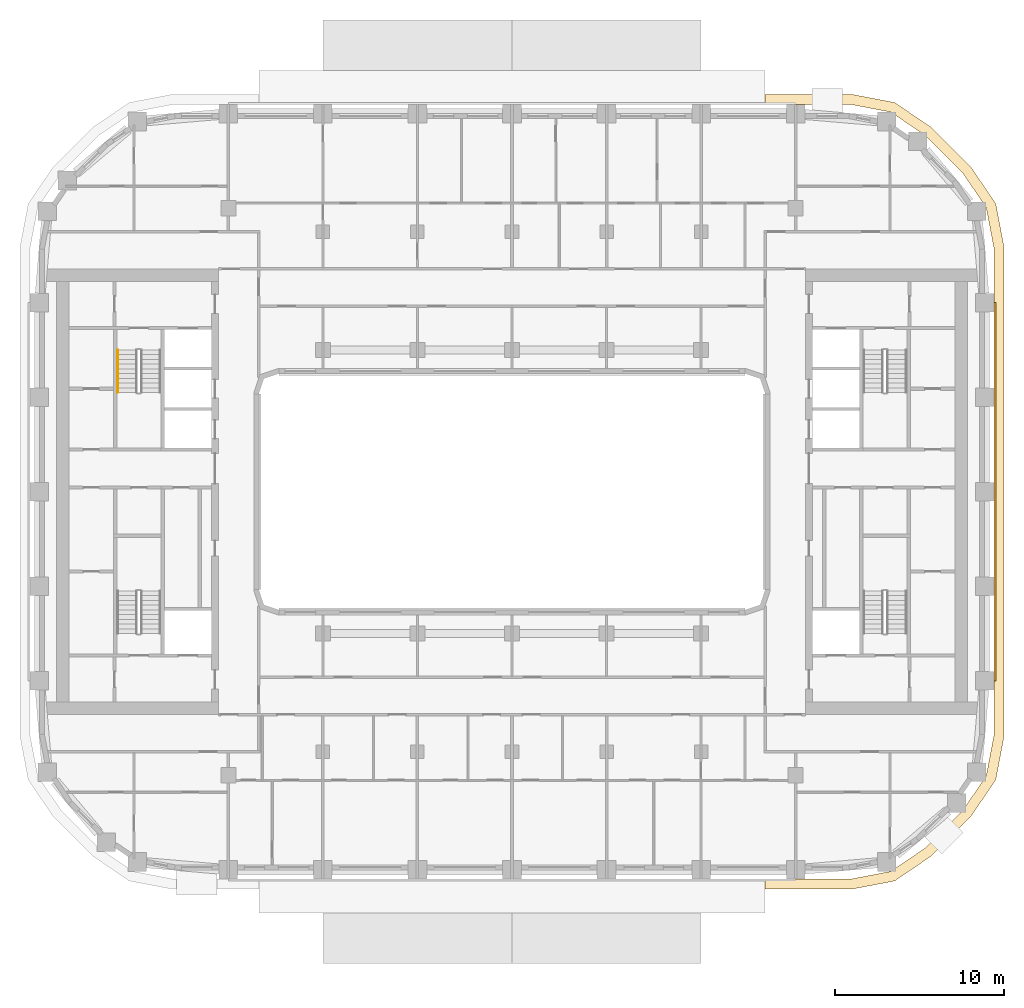
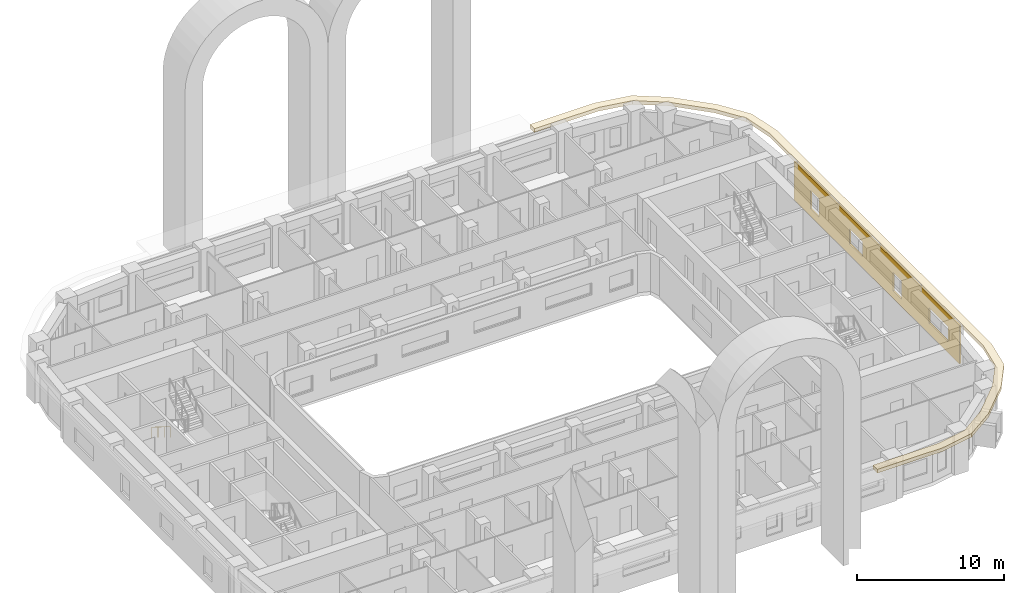
# One storey, part 15 of 18: 2 coverings, 1 railing.
"""IFC4 building model written with IfcOpenShell, lengths in metres."""

from ifc_helpers import new_model, si_unit, direction, frame, origin, origin_2d, place, context, subcontext, project, spatial, polyline, circle, outline, extrude, material, layer, layer_set, type_object, element, save


model = new_model("IFC4")

# Units and contexts
model_context = context("Model", 3, precision=1e-05, world=origin(), true_north=direction((0.0, 1.0)))
body_context = subcontext(model_context, "Body", "Model", "MODEL_VIEW")
ifc_project = project(units=[si_unit("LENGTHUNIT", "METRE"), si_unit("AREAUNIT", "SQUARE_METRE"), si_unit("VOLUMEUNIT", "CUBIC_METRE"), si_unit("PLANEANGLEUNIT", "RADIAN"), si_unit("MASSUNIT", "GRAM", prefix="KILO")], contexts=[model_context])

# Site, building, storey
site_placement = place(None, origin())
site = spatial("IfcSite", under=ifc_project, at=site_placement, CompositionType="ELEMENT")
building_placement = place(site_placement, origin())
building = spatial("IfcBuilding", under=site, at=building_placement, Name="Kiln Ring Residences", CompositionType="ELEMENT")
storey_placement = place(building_placement, frame((0.0, 0.0, 157.10009765625)))
storey = spatial("IfcBuildingStorey", under=building, at=storey_placement, Name="L40", CompositionType="ELEMENT", Elevation=157.10009765625)

# Railing
ifc_material_1 = material(Name="Stainless steel", Category="steel")
railing_type = type_object("IfcRailingType", Name="CORE-STAIR-HANDRAIL", PredefinedType="HANDRAIL", material=ifc_material_1)
railing_placement = place(storey_placement, frame((-23.35009765625, 8.39990234375, 0.1748046875)))
element("IfcRailing", 1, at=railing_placement, inside=storey, type_object=railing_type, Name="L40 W-STN stair handrail 1", PredefinedType="HANDRAIL", context=body_context, shape_type="SweptSolid", body=[
    extrude(circle(Radius=0.02392578125, at=origin_2d()), frame((0.0, 0.0, 0.8759765625), z_axis=(0.0, -0.847970611238, 0.530043245855), x_axis=(1.0, 0.0, 0.0)), (0.0, 0.0, 1.0), 2.971923828125),
    extrude(circle(Radius=0.02099609375, at=origin_2d()), origin(), (0.0, 0.0, 1.0), 0.851806640625),
    extrude(circle(Radius=0.02099609375, at=origin_2d()), frame((0.0, -0.840087890625, 0.525146484375)), (0.0, 0.0, 1.0), 0.851806640625),
    extrude(circle(Radius=0.02099609375, at=origin_2d()), frame((0.0, -1.679931640625, 1.050048828125)), (0.0, 0.0, 1.0), 0.851806640625),
    extrude(circle(Radius=0.02099609375, at=origin_2d()), frame((0.0, -2.52001953125, 1.5751953125)), (0.0, 0.0, 1.0), 0.851806640625),
])

# Coverings
ifc_material_2 = material(Name="Brick masonry, dark clay brick", Category="masonry")
ifc_layer_1 = layer(ifc_material_2, 0.1201171875)
ifc_layer_set_1 = layer_set([ifc_layer_1], Name="RAINSCREEN PANEL 120")
covering_type_1 = type_object("IfcCoveringType", Name="RAINSCREEN PANEL 120", PredefinedType="CLADDING", material=ifc_layer_set_1)
covering_1_placement = place(storey_placement, frame((28.610107421875, -11.199951171875, 0.0), z_axis=(0.0, 0.0, 1.0), x_axis=(0.0, 1.0, 0.0)))
element("IfcCovering", 2, at=covering_1_placement, inside=storey, type_object=covering_type_1, Name="RAINSCREEN L40", PredefinedType="CLADDING", context=body_context, shape_type="SweptSolid", body=[
    extrude(outline(polyline([(0.0, 0.0), (22.39990234375, 0.0), (22.39990234375, 3.199951171875), (0.0, 3.199951171875), (0.0, 0.0)]), holes=[polyline([(9.0, 0.599853515625), (9.0, 2.14990234375), (7.800048828125, 2.14990234375), (7.800048828125, 0.599853515625), (9.0, 0.599853515625)]), polyline([(20.199951171875, 0.599853515625), (20.199951171875, 2.14990234375), (19.0, 2.14990234375), (19.0, 0.599853515625), (20.199951171875, 0.599853515625)]), polyline([(4.10009765625, 0.89990234375), (4.10009765625, 2.14990234375), (1.5, 2.14990234375), (1.5, 0.89990234375), (4.10009765625, 0.89990234375)]), polyline([(14.89990234375, 0.89990234375), (14.89990234375, 2.14990234375), (13.10009765625, 2.14990234375), (13.10009765625, 0.89990234375), (14.89990234375, 0.89990234375)])]), frame((0.0, 0.06005859375, 0.0), z_axis=(0.0, -1.0, 0.0), x_axis=(1.0, 0.0, 0.0)), (0.0, 0.0, 1.0), 0.1201171875),
])
ifc_material_3 = material(Name="Black powder-coated steel", Category="steel")
ifc_layer_2 = layer(ifc_material_3, 0.300048828125)
ifc_layer_set_2 = layer_set([ifc_layer_2], Name="SUNSHADE FIN 600")
covering_type_2 = type_object("IfcCoveringType", Name="SUNSHADE FIN 600", PredefinedType="CLADDING", material=ifc_layer_set_2)
covering_2_placement = place(storey_placement, frame((0.0, 0.0, 3.199951171875)))
element("IfcCovering", 3, at=covering_2_placement, inside=storey, type_object=covering_type_2, Name="SUNSHADE FIN L40", PredefinedType="CLADDING", context=body_context, shape_type="SweptSolid", body=[
    extrude(outline(polyline([(20.108642578125, 23.550048828125), (15.0, 23.550048828125), (15.0, 22.949951171875), (20.052001953125, 22.949951171875), (22.439208984375, 22.49462890625), (24.44921875, 21.128662109375), (26.728515625, 18.84912109375), (28.0947265625, 16.839111328125), (28.550048828125, 14.451904296875), (28.550048828125, -14.451904296875), (28.0947265625, -16.839111328125), (26.728515625, -18.84912109375), (24.44921875, -21.128662109375), (22.439208984375, -22.49462890625), (20.052001953125, -22.949951171875), (15.0, -22.949951171875), (15.0, -23.550048828125), (20.108642578125, -23.550048828125), (22.673583984375, -23.060791015625), (24.83349609375, -21.593017578125), (27.193115234375, -19.2333984375), (28.66064453125, -17.07373046875), (29.14990234375, -14.5087890625), (29.14990234375, 14.5087890625), (28.66064453125, 17.07373046875), (27.193115234375, 19.2333984375), (24.83349609375, 21.593017578125), (22.673583984375, 23.060791015625), (20.108642578125, 23.550048828125)])), origin(), (0.0, 0.0, 1.0), 0.300048828125),
])

save(model, "model.ifc")
